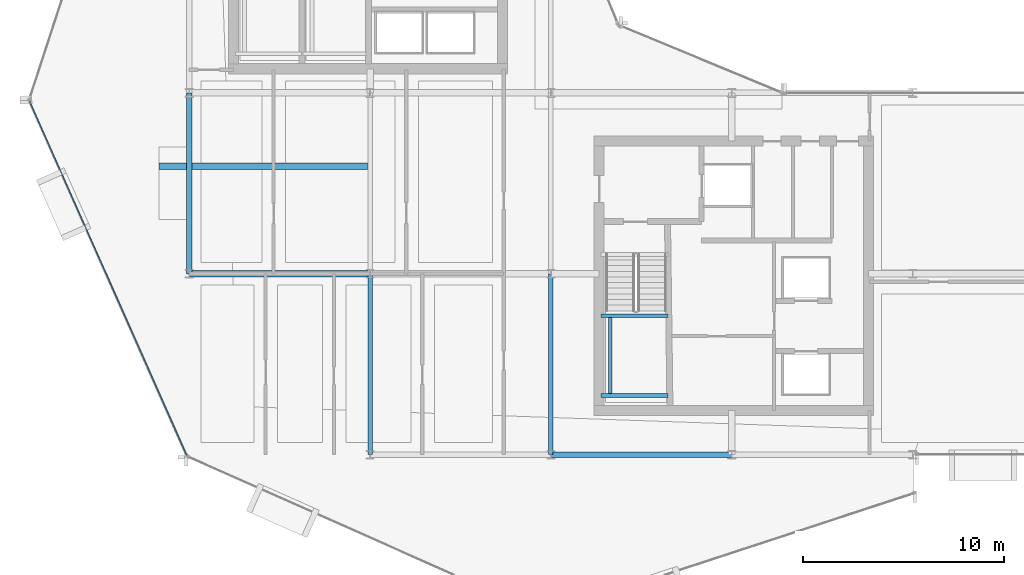
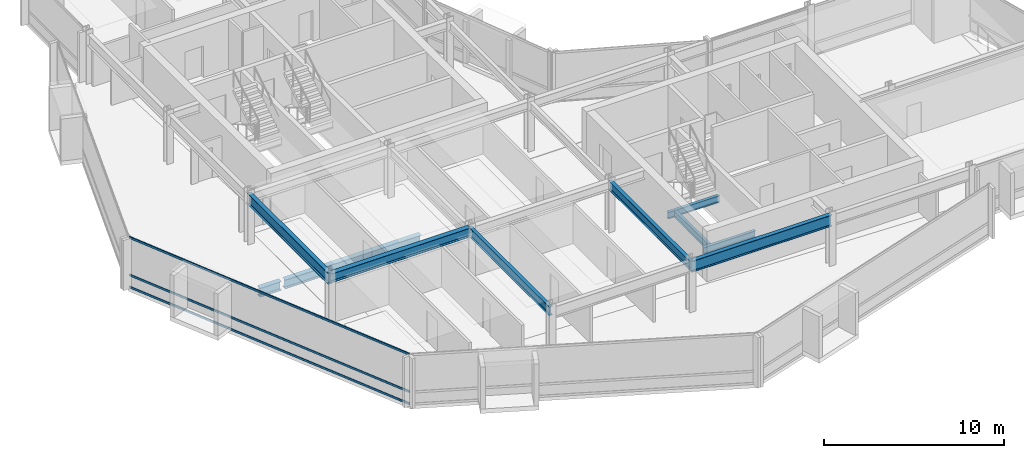
# One storey, part 5 of 28: 10 beams, 3 members, 1 element without a shape of its own.
"""IFC4 building model written with IfcOpenShell, lengths in metres."""

from ifc_helpers import new_model, si_unit, direction, frame, origin, origin_2d, place, context, subcontext, project, spatial, hollow_rectangle, i_section, extrude, material, layer, layer_set, material_profile, profile_set, type_object, element, aggregate, save


model = new_model("IFC4")

# Units and contexts
model_context = context("Model", 3, precision=1e-05, world=origin(), true_north=direction((0.0, 1.0)))
body_context = subcontext(model_context, "Body", "Model", "MODEL_VIEW")
ifc_project = project(units=[si_unit("LENGTHUNIT", "METRE"), si_unit("AREAUNIT", "SQUARE_METRE"), si_unit("VOLUMEUNIT", "CUBIC_METRE"), si_unit("PLANEANGLEUNIT", "RADIAN"), si_unit("MASSUNIT", "GRAM", prefix="KILO")], contexts=[model_context])

# Site, building, storey
site_placement = place(None, origin())
site = spatial("IfcSite", under=ifc_project, at=site_placement, CompositionType="ELEMENT")
building_placement = place(site_placement, origin())
building = spatial("IfcBuilding", under=site, at=building_placement, Name="Solvaryn Broadcast Tower", CompositionType="ELEMENT")
storey_placement = place(building_placement, frame((0.0, 0.0, 154.39990234375)))
storey = spatial("IfcBuildingStorey", under=building, at=storey_placement, Name="L38", CompositionType="ELEMENT", Elevation=154.39990234375)

# Beams
ifc_material_1 = material(Name="Steel ASTM A992 Grade 50", Category="steel")
ifc_material_profile_1 = material_profile(ifc_material_1, i_section(OverallWidth=0.323974609375, OverallDepth=0.611083984375, WebThickness=0.0126953125, FlangeThickness=0.01904296875, FilletRadius=0.014892578125, at=origin_2d()))
ifc_profile_set_1 = profile_set([ifc_material_profile_1], Name="Steel ASTM A992 Grade 50")
beam_type_1 = type_object("IfcBeamType", Name="BM-B1-W24X104", PredefinedType="BEAM", material=ifc_profile_set_1)
beam_1_placement = place(storey_placement, frame((17.875, 23.35009765625, -0.58544921875), z_axis=(-1.0, 0.0, 0.0), x_axis=(0.0, -1.0, 0.0)))
element("IfcBeam", 1, at=beam_1_placement, inside=storey, type_object=beam_type_1, Name="L38 Bay-Box Back-Span Beam 1", PredefinedType="BEAM", context=body_context, shape_type="SweptSolid", body=[
    extrude(i_section(OverallWidth=0.323974609375, OverallDepth=0.611083984375, WebThickness=0.0126953125, FlangeThickness=0.01904296875, FilletRadius=0.014892578125, at=origin_2d()), origin(), (0.0, 0.0, 1.0), 8.75),
])
beam_2_placement = place(storey_placement, frame((9.0, 18.0, 3.114501953125), z_axis=(1.0, 0.0, 0.0), x_axis=(0.0, 1.0, 0.0)))
element("IfcBeam", 2, at=beam_2_placement, inside=storey, type_object=beam_type_1, Name="L38 Primary Beam X (9-18 @ Y=18)", PredefinedType="BEAM", context=body_context, shape_type="SweptSolid", body=[
    extrude(i_section(OverallWidth=0.323974609375, OverallDepth=0.611083984375, WebThickness=0.0126953125, FlangeThickness=0.01904296875, FilletRadius=0.014892578125, at=origin_2d()), origin(), (0.0, 0.0, 1.0), 9.0),
])
ifc_material_2 = material(Name="Steel ASTM A992 Grade 50", Category="steel")
ifc_material_profile_2 = material_profile(ifc_material_2, i_section(OverallWidth=0.22802734375, OverallDepth=0.60791015625, WebThickness=0.01123046875, FlangeThickness=0.017333984375, FilletRadius=0.014892578125, at=origin_2d()))
ifc_profile_set_2 = profile_set([ifc_material_profile_2], Name="Steel ASTM A992 Grade 50")
beam_type_2 = type_object("IfcBeamType", Name="BM-B2-W24X76", PredefinedType="BEAM", material=ifc_profile_set_2)
for number, where, z_axis, x_axis, name in (
    (3, (18.0, 9.0, 3.1162109375), (0.0, 1.0, 0.0), (-1.0, 0.0, 0.0), "L38 Primary Beam Y (9-18 @ X=18)"),
    (4, (27.0, 9.0, 3.1162109375), (0.0, 1.0, 0.0), (-1.0, 0.0, 0.0), "L38 Primary Beam Y (9-18 @ X=27)"),
):
    element("IfcBeam", number, at=place(storey_placement, frame(where, z_axis=z_axis, x_axis=x_axis)), inside=storey, type_object=beam_type_2, Name=name, PredefinedType="BEAM", context=body_context, shape_type="SweptSolid", body=[
        extrude(i_section(OverallWidth=0.22802734375, OverallDepth=0.60791015625, WebThickness=0.01123046875, FlangeThickness=0.017333984375, FilletRadius=0.014892578125, at=origin_2d()), origin(), (0.0, 0.0, 1.0), 9.0),
    ])
ifc_material_3 = material(Name="Steel ASTM A992 Grade 50", Category="steel")
ifc_material_profile_3 = material_profile(ifc_material_3, i_section(OverallWidth=0.18994140625, OverallDepth=0.45703125, WebThickness=0.009033203125, FlangeThickness=0.014404296875, FilletRadius=0.011962890625, at=origin_2d()))
ifc_profile_set_3 = profile_set([ifc_material_profile_3], Name="Steel ASTM A992 Grade 50")
beam_type_3 = type_object("IfcBeamType", Name="BM-B4-W18X50", PredefinedType="BEAM", material=ifc_profile_set_3)
for number, where, z_axis, x_axis, name in (
    (5, (29.5, 11.949951171875, 1.421630859375), (1.0, 0.0, 0.0), (0.0, 1.0, 0.0), "L38 ST3 Landing Support Beam 1A"),
    (6, (29.5, 15.909912109375, 1.421630859375), (1.0, 0.0, 0.0), (0.0, 1.0, 0.0), "L38 ST3 Landing Support Beam 1B"),
):
    element("IfcBeam", number, at=place(storey_placement, frame(where, z_axis=z_axis, x_axis=x_axis)), inside=storey, type_object=beam_type_3, Name=name, PredefinedType="BEAM", context=body_context, shape_type="SweptSolid", body=[
        extrude(i_section(OverallWidth=0.18994140625, OverallDepth=0.45703125, WebThickness=0.009033203125, FlangeThickness=0.014404296875, FilletRadius=0.011962890625, at=origin_2d()), origin(), (0.0, 0.0, 1.0), 3.320068359375),
    ])
beam_3_placement = place(storey_placement, frame((29.949951171875, 11.949951171875, 1.421630859375), z_axis=(0.0, 1.0, 0.0), x_axis=(-1.0, 0.0, 0.0)))
element("IfcBeam", 7, at=beam_3_placement, inside=storey, type_object=beam_type_3, Name="L38 ST3 Landing Cross Stringer 1C", PredefinedType="BEAM", context=body_context, shape_type="SweptSolid", body=[
    extrude(i_section(OverallWidth=0.18994140625, OverallDepth=0.45703125, WebThickness=0.009033203125, FlangeThickness=0.014404296875, FilletRadius=0.011962890625, at=origin_2d()), origin(), (0.0, 0.0, 1.0), 3.9599609375),
])
ifc_material_4 = material(Name="Steel ASTM A992 Grade 50", Category="steel")
ifc_material_profile_4 = material_profile(ifc_material_4, i_section(OverallWidth=0.323974609375, OverallDepth=0.611083984375, WebThickness=0.0126953125, FlangeThickness=0.01904296875, FilletRadius=0.014892578125, at=origin_2d()))
ifc_profile_set_4 = profile_set([ifc_material_profile_4], Name="Steel ASTM A992 Grade 50")
beam_type_4 = type_object("IfcBeamType", Name="BM-CANT-TER", PredefinedType="BEAM", material=ifc_profile_set_4)
beam_4_placement = place(storey_placement, frame((8.875, 23.35009765625, -0.58544921875), z_axis=(-1.0, 0.0, 0.0), x_axis=(0.0, -1.0, 0.0)))
element("IfcBeam", 8, at=beam_4_placement, inside=storey, type_object=beam_type_4, Name="L38 Bay-Box Cantilever Bracket 1", PredefinedType="BEAM", context=body_context, shape_type="SweptSolid", body=[
    extrude(i_section(OverallWidth=0.323974609375, OverallDepth=0.611083984375, WebThickness=0.0126953125, FlangeThickness=0.01904296875, FilletRadius=0.014892578125, at=origin_2d()), origin(), (0.0, 0.0, 1.0), 1.375),
])
ifc_material_5 = material(Name="Steel ASTM A992 Grade 50", Category="steel")
ifc_material_profile_5 = material_profile(ifc_material_5, i_section(OverallWidth=0.26708984375, OverallDepth=0.76611328125, WebThickness=0.014892578125, FlangeThickness=0.023681640625, FilletRadius=0.01806640625, at=origin_2d()))
ifc_profile_set_5 = profile_set([ifc_material_profile_5], Name="Steel ASTM A992 Grade 50")
beam_type_5 = type_object("IfcBeamType", Name="BM-SP2-W30X124", PredefinedType="USERDEFINED", material=ifc_profile_set_5)
for number, where, z_axis, x_axis, name in (
    (9, (27.0, 9.0, 3.037109375), (1.0, 0.0, 0.0), (0.0, 1.0, 0.0), "L38 Spandrel Beam X (27-36 @ Y=9)"),
    (10, (9.0, 18.0, 3.037109375), (0.0, 1.0, 0.0), (-1.0, 0.0, 0.0), "L38 Spandrel Beam Y (18-27 @ X=9)"),
):
    element("IfcBeam", number, at=place(storey_placement, frame(where, z_axis=z_axis, x_axis=x_axis)), inside=storey, type_object=beam_type_5, Name=name, ObjectType="SPANDREL", PredefinedType="USERDEFINED", context=body_context, shape_type="SweptSolid", body=[
        extrude(i_section(OverallWidth=0.26708984375, OverallDepth=0.76611328125, WebThickness=0.014892578125, FlangeThickness=0.023681640625, FilletRadius=0.01806640625, at=origin_2d()), origin(), (0.0, 0.0, 1.0), 9.0),
    ])

# Curtain wall, members
ifc_material_6 = material(Name="Aluminium and Terracotta Unitised Curtain Wall", Category="masonry")
ifc_layer = layer(ifc_material_6, 0.199951171875)
ifc_layer_set = layer_set([ifc_layer], Name="CW-SYS2-LOWMID")
curtain_wall_type = type_object("IfcCurtainWallType", Name="CW-SYS2-LOWMID", PredefinedType="NOTDEFINED", material=ifc_layer_set)
curtain_wall_placement = place(storey_placement, origin())
curtain_wall = element("IfcCurtainWall", 11, at=curtain_wall_placement, inside=storey, type_object=curtain_wall_type, Name="L38 Curtain Wall DR2", PredefinedType="NOTDEFINED")
ifc_material_7 = material(Name="Anodised Aluminium 6063-T6", Category="aluminium")
ifc_material_profile_6 = material_profile(ifc_material_7, hollow_rectangle(XDim=0.06494140625, YDim=0.14990234375, WallThickness=0.00390625, InnerFilletRadius=0.00390625, OuterFilletRadius=0.008056640625, at=origin_2d()))
ifc_profile_set_6 = profile_set([ifc_material_profile_6], Name="Anodised Aluminium 6063-T6")
member_type = type_object("IfcMemberType", Name="CW-TRN-150", PredefinedType="USERDEFINED", material=ifc_profile_set_6)
member_1_placement = place(storey_placement, frame((1.058349609375, 26.5810546875, 0.030029296875), z_axis=(0.405917546252, -0.913909703223, 0.0), x_axis=(0.913909703223, 0.405917546252, 0.0)))
member_1 = element("IfcMember", 12, at=member_1_placement, type_object=member_type, Name="CWS2 transom 1.1", ObjectType="TRANSOM", PredefinedType="USERDEFINED", context=body_context, shape_type="SweptSolid", body=[
    extrude(hollow_rectangle(XDim=0.06494140625, YDim=0.14990234375, WallThickness=0.00390625, InnerFilletRadius=0.00390625, OuterFilletRadius=0.008056640625, at=origin_2d()), origin(), (0.0, 0.0, 1.0), 19.27783203125),
])
member_2_placement = place(storey_placement, frame((1.058349609375, 26.5810546875, 0.85009765625), z_axis=(0.405917546252, -0.913909703223, 0.0), x_axis=(0.913909703223, 0.405917546252, 0.0)))
member_2 = element("IfcMember", 13, at=member_2_placement, type_object=member_type, Name="CWS2 transom 1.2", ObjectType="TRANSOM", PredefinedType="USERDEFINED", context=body_context, shape_type="SweptSolid", body=[
    extrude(hollow_rectangle(XDim=0.06494140625, YDim=0.14990234375, WallThickness=0.00390625, InnerFilletRadius=0.00390625, OuterFilletRadius=0.008056640625, at=origin_2d()), origin(), (0.0, 0.0, 1.0), 19.27783203125),
])
member_3_placement = place(storey_placement, frame((1.058349609375, 26.5810546875, 3.39013671875), z_axis=(0.405917546252, -0.913909703223, 0.0), x_axis=(0.913909703223, 0.405917546252, 0.0)))
member_3 = element("IfcMember", 14, at=member_3_placement, type_object=member_type, Name="CWS2 transom 1.3", ObjectType="TRANSOM", PredefinedType="USERDEFINED", context=body_context, shape_type="SweptSolid", body=[
    extrude(hollow_rectangle(XDim=0.06494140625, YDim=0.14990234375, WallThickness=0.00390625, InnerFilletRadius=0.00390625, OuterFilletRadius=0.008056640625, at=origin_2d()), origin(), (0.0, 0.0, 1.0), 19.27783203125),
])
aggregate(curtain_wall, [member_1, member_2, member_3])

save(model, "model.ifc")
